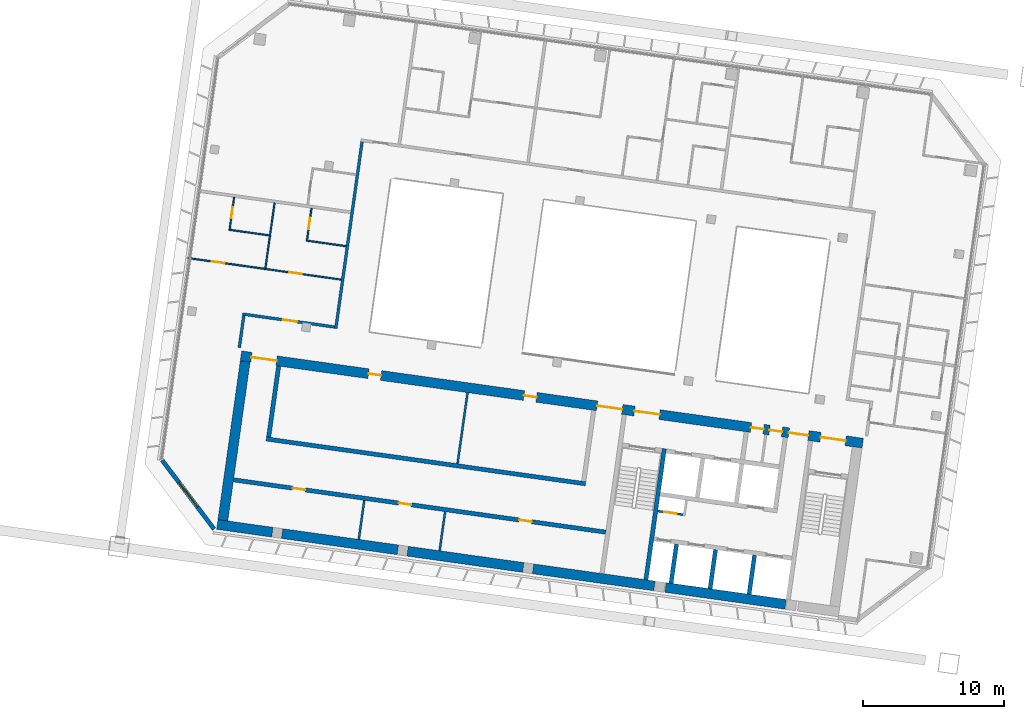
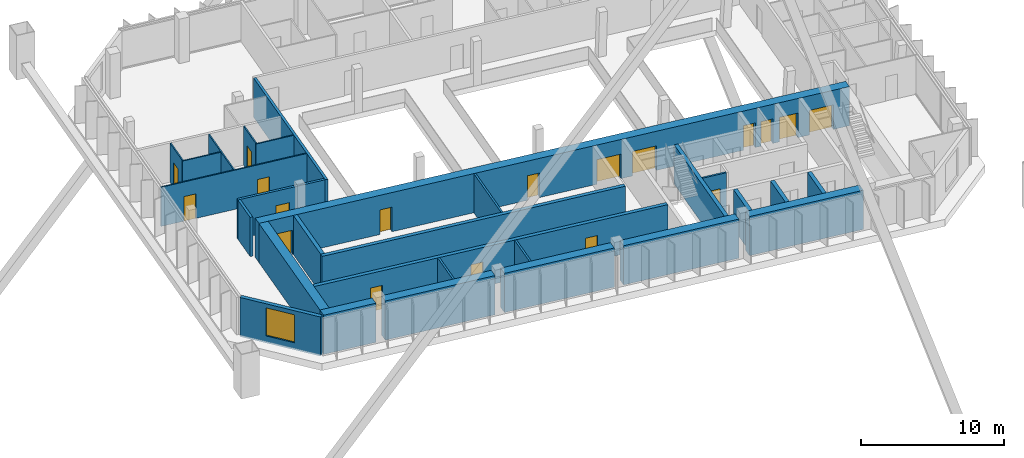
# One storey, part 24 of 38: 28 walls, 18 doors, 1 window, 19 openings.
"""IFC4 building model written with IfcOpenShell, lengths in metres."""

from ifc_helpers import new_model, si_unit, direction, frame, frame_2d, origin, place, context, subcontext, project, spatial, rectangle, extrude, material, layer, layer_set, type_object, element, fill, save


model = new_model("IFC4")

# Units and contexts
model_context = context("Model", 3, precision=1e-05, world=origin(), true_north=direction((0.0, 1.0)))
body_context = subcontext(model_context, "Body", "Model", "MODEL_VIEW")
ifc_project = project(units=[si_unit("LENGTHUNIT", "METRE"), si_unit("AREAUNIT", "SQUARE_METRE"), si_unit("VOLUMEUNIT", "CUBIC_METRE"), si_unit("PLANEANGLEUNIT", "RADIAN"), si_unit("MASSUNIT", "GRAM", prefix="KILO")], contexts=[model_context])

# Site, building, storey
site_placement = place(None, origin())
site = spatial("IfcSite", under=ifc_project, at=site_placement, CompositionType="ELEMENT")
building_placement = place(site_placement, origin())
building = spatial("IfcBuilding", under=site, at=building_placement, Name="Mirante Cascada Hotel Towers", CompositionType="ELEMENT")
storey_placement = place(building_placement, frame((0.0, 0.0, 184.0)))
storey = spatial("IfcBuildingStorey", under=building, at=storey_placement, Name="L43", CompositionType="ELEMENT", Elevation=184.0)

# Wall, opening, door
ifc_material_1 = material(Name="Fire-rated plasterboard on metal studs")
ifc_layer_1 = layer(ifc_material_1, 0.2)
ifc_layer_set_1 = layer_set([ifc_layer_1], Name="Compartment wall 200 EI 120")
wall_type_1 = type_object("IfcWallType", Name="Compartment wall 200 EI 120", PredefinedType="PARTITIONING", material=ifc_layer_set_1)
wall_1_placement = place(storey_placement, frame((-73.0547, 0.6175, 0.0), z_axis=(0.0, 0.0, 1.0), x_axis=(-0.990267, 0.139181, 0.0)))
wall_1 = element("IfcWall", 1, at=wall_1_placement, inside=storey, type_object=wall_type_1, Name="Wall 1-L43-04", PredefinedType="PARTITIONING", context=body_context, shape_type="SweptSolid", body=[
    extrude(rectangle(XDim=6.6, YDim=0.2, at=frame_2d((3.3, 0.0))), origin(), (0.0, 0.0, 1.0), 3.35),
])
opening_1_placement = place(wall_1_placement, frame((2.7, 0.0, 0.0)))
opening_1 = element("IfcOpeningElement", 2, at=opening_1_placement, cuts=wall_1, Name="Opening D1-L43-04", PredefinedType="OPENING", context=body_context, shape_type="SweptSolid", body=[
    extrude(rectangle(XDim=1.0, YDim=2.1, at=frame_2d((0.5, 1.05))), frame((0.0, 0.1, 0.0), z_axis=(0.0, -1.0, 0.0), x_axis=(1.0, 0.0, 0.0)), (0.0, 0.0, 1.0), 0.2),
])
ifc_material_2 = material(Name="Fire-rated timber door leaf", Category="wood")
door_type_1 = type_object("IfcDoorType", Name="Entrance door DG1 1000x2100 EI 60", OperationType="SINGLE_SWING_LEFT", PredefinedType="DOOR", material=ifc_material_2)
door_1_placement = place(opening_1_placement, origin())
door_1 = element("IfcDoor", 3, at=door_1_placement, inside=storey, type_object=door_type_1, Name="Door D1-L43-04", OperationType="SINGLE_SWING_LEFT", OverallHeight=2.1, OverallWidth=1.0, PredefinedType="DOOR", context=body_context, shape_type="SweptSolid", body=[
    extrude(rectangle(XDim=1.0, YDim=2.1, at=frame_2d((0.5, 1.05))), frame((0.0, 0.025, 0.0), z_axis=(0.0, -1.0, 0.0), x_axis=(1.0, 0.0, 0.0)), (0.0, 0.0, 1.0), 0.05),
])
fill(opening_1, door_1)

# Walls
wall_2_placement = place(storey_placement, frame((-72.9696, 0.5046, 0.0), z_axis=(0.0, 0.0, 1.0), x_axis=(0.1391716, 0.9902683, 0.0)))
element("IfcWall", 4, at=wall_2_placement, inside=storey, type_object=wall_type_1, Name="Wall 1-L43-48", PredefinedType="PARTITIONING", context=body_context, shape_type="SweptSolid", body=[
    extrude(rectangle(XDim=13.4, YDim=0.2, at=frame_2d((6.7, 0.0))), origin(), (0.0, 0.0, 1.0), 3.35),
])
wall_3_placement = place(storey_placement, frame((-79.8255, -0.8545, 0.0), z_axis=(0.0, 0.0, 1.0), x_axis=(0.1391749, 0.9902678, 0.0)))
element("IfcWall", 5, at=wall_3_placement, inside=storey, type_object=wall_type_1, Name="Wall 1-L43-52", PredefinedType="PARTITIONING", context=body_context, shape_type="SweptSolid", body=[
    extrude(rectangle(XDim=2.3, YDim=0.2, at=frame_2d((1.15, 0.0))), origin(), (0.0, 0.0, 1.0), 3.35),
])

# Wall, opening, door
ifc_material_3 = material(Name="Masonry block", Category="masonry")
ifc_layer_2 = layer(ifc_material_3, 0.15)
ifc_layer_set_2 = layer_set([ifc_layer_2], Name="Core room partition 150 block EI 30")
wall_type_2 = type_object("IfcWallType", Name="Core room partition 150 block EI 30", PredefinedType="PARTITIONING", material=ifc_layer_set_2)
wall_4_placement = place(storey_placement, frame((-48.2933, -12.7083, 0.0), z_axis=(0.0, 0.0, 1.0), x_axis=(-0.990268, 0.1391734, 0.0)))
wall_4 = element("IfcWall", 6, at=wall_4_placement, inside=storey, type_object=wall_type_2, Name="Core wall partition T1 L43 3", PredefinedType="PARTITIONING", context=body_context, shape_type="SweptSolid", body=[
    extrude(rectangle(XDim=1.8251, YDim=0.15, at=frame_2d((0.9126, 0.0))), origin(), (0.0, 0.0, 1.0), 3.35),
])
opening_2_placement = place(wall_4_placement, frame((0.4625, 0.0, 0.0)))
opening_2 = element("IfcOpeningElement", 7, at=opening_2_placement, cuts=wall_4, Name="Opening D1-43-C15", PredefinedType="OPENING", context=body_context, shape_type="SweptSolid", body=[
    extrude(rectangle(XDim=0.9, YDim=2.1, at=frame_2d((0.45, 1.05))), frame((0.0, 0.075, 0.0), z_axis=(0.0, -1.0, 0.0), x_axis=(1.0, 0.0, 0.0)), (0.0, 0.0, 1.0), 0.15),
])
ifc_material_4 = material(Name="Hollow metal fire door leaf")
door_type_2 = type_object("IfcDoorType", Name="Fire door 900x2100 FD60", OperationType="NOTDEFINED", PredefinedType="DOOR", material=ifc_material_4)
door_2_placement = place(opening_2_placement, origin())
door_2 = element("IfcDoor", 8, at=door_2_placement, inside=storey, type_object=door_type_2, Name="Riser door T1 L43 15", OperationType="SINGLE_SWING_LEFT", OverallHeight=2.1, OverallWidth=0.9, PredefinedType="DOOR", context=body_context, shape_type="SweptSolid", body=[
    extrude(rectangle(XDim=0.9, YDim=2.1, at=frame_2d((0.45, 1.05))), frame((0.0, 0.025, 0.0), z_axis=(0.0, -1.0, 0.0), x_axis=(1.0, 0.0, 0.0)), (0.0, 0.0, 1.0), 0.05),
])
fill(opening_2, door_2)

# Walls
wall_5_placement = place(storey_placement, frame((-65.594, -15.2755, 0.0), z_axis=(0.0, 0.0, 1.0), x_axis=(0.139176, 0.9902677, 0.0)))
element("IfcWall", 9, at=wall_5_placement, inside=storey, type_object=wall_type_2, Name="Core wall partition T1 L43 6", PredefinedType="PARTITIONING", context=body_context, shape_type="SweptSolid", body=[
    extrude(rectangle(XDim=2.8001, YDim=0.15, at=frame_2d((1.4, 0.0))), origin(), (0.0, 0.0, 1.0), 3.35),
])
wall_6_placement = place(storey_placement, frame((-71.3375, -14.4683, 0.0), z_axis=(0.0, 0.0, 1.0), x_axis=(0.139141, 0.9902726, 0.0)))
element("IfcWall", 10, at=wall_6_placement, inside=storey, type_object=wall_type_2, Name="Core wall partition T1 L43 7", PredefinedType="PARTITIONING", context=body_context, shape_type="SweptSolid", body=[
    extrude(rectangle(XDim=2.8, YDim=0.15, at=frame_2d((1.4, 0.0))), origin(), (0.0, 0.0, 1.0), 3.35),
])
wall_7_placement = place(storey_placement, frame((-64.3211, -9.0925, 0.0), z_axis=(0.0, 0.0, 1.0), x_axis=(0.1391755, 0.9902677, 0.0)))
element("IfcWall", 11, at=wall_7_placement, inside=storey, type_object=wall_type_2, Name="Core wall partition T1 L43 8", PredefinedType="PARTITIONING", context=body_context, shape_type="SweptSolid", body=[
    extrude(rectangle(XDim=5.1, YDim=0.15, at=frame_2d((2.55, 0.0))), origin(), (0.0, 0.0, 1.0), 3.35),
])

# Wall, openings, doors
ifc_material_5 = material(Name="Masonry block", Category="masonry")
ifc_layer_3 = layer(ifc_material_5, 0.3)
ifc_layer_set_3 = layer_set([ifc_layer_3], Name="Core wall 300 block EI 120")
wall_type_3 = type_object("IfcWallType", Name="Core wall 300 block EI 120", PredefinedType="PARTITIONING", material=ifc_layer_set_3)
wall_8_placement = place(storey_placement, frame((-53.7953, -13.9547, 0.0), z_axis=(0.0, 0.0, 1.0), x_axis=(-0.9902677, 0.1391758, 0.0)))
wall_8 = element("IfcWall", 12, at=wall_8_placement, inside=storey, type_object=wall_type_3, Name="Core wall partition T1 L43 5", PredefinedType="PARTITIONING", context=body_context, shape_type="SweptSolid", body=[
    extrude(rectangle(XDim=26.7001, YDim=0.3, at=frame_2d((13.35, 0.0))), origin(), (0.0, 0.0, 1.0), 3.35),
])
opening_3_placement = place(wall_8_placement, frame((5.3, 0.0, 0.0)))
opening_3 = element("IfcOpeningElement", 13, at=opening_3_placement, cuts=wall_8, Name="Opening D1-43-C18", PredefinedType="OPENING", context=body_context, shape_type="SweptSolid", body=[
    extrude(rectangle(XDim=0.9, YDim=2.1, at=frame_2d((0.45, 1.05))), frame((0.0, 0.15, 0.0), z_axis=(0.0, -1.0, 0.0), x_axis=(1.0, 0.0, 0.0)), (0.0, 0.0, 1.0), 0.3),
])
opening_4_placement = place(wall_8_placement, frame((13.95, 0.0, 0.0)))
opening_4 = element("IfcOpeningElement", 14, at=opening_4_placement, cuts=wall_8, Name="Opening D1-43-C19", PredefinedType="OPENING", context=body_context, shape_type="SweptSolid", body=[
    extrude(rectangle(XDim=0.9, YDim=2.1, at=frame_2d((0.45, 1.05))), frame((0.0, 0.15, 0.0), z_axis=(0.0, -1.0, 0.0), x_axis=(1.0, 0.0, 0.0)), (0.0, 0.0, 1.0), 0.3),
])
opening_5_placement = place(wall_8_placement, frame((21.55, 0.0, 0.0)))
opening_5 = element("IfcOpeningElement", 15, at=opening_5_placement, cuts=wall_8, Name="Opening D1-43-C20", PredefinedType="OPENING", context=body_context, shape_type="SweptSolid", body=[
    extrude(rectangle(XDim=0.9, YDim=2.1, at=frame_2d((0.45, 1.05))), frame((0.0, 0.15, 0.0), z_axis=(0.0, -1.0, 0.0), x_axis=(1.0, 0.0, 0.0)), (0.0, 0.0, 1.0), 0.3),
])
door_3_placement = place(opening_3_placement, origin())
door_3 = element("IfcDoor", 16, at=door_3_placement, inside=storey, type_object=door_type_2, Name="Room door T1 L43 18", OperationType="SINGLE_SWING_RIGHT", OverallHeight=2.1, OverallWidth=0.9, PredefinedType="DOOR", context=body_context, shape_type="SweptSolid", body=[
    extrude(rectangle(XDim=0.9, YDim=2.1, at=frame_2d((0.45, 1.05))), frame((0.0, 0.025, 0.0), z_axis=(0.0, -1.0, 0.0), x_axis=(1.0, 0.0, 0.0)), (0.0, 0.0, 1.0), 0.05),
])
fill(opening_3, door_3)
door_4_placement = place(opening_4_placement, origin())
door_4 = element("IfcDoor", 17, at=door_4_placement, inside=storey, type_object=door_type_2, Name="Room door T1 L43 19", OperationType="SINGLE_SWING_LEFT", OverallHeight=2.1, OverallWidth=0.9, PredefinedType="DOOR", context=body_context, shape_type="SweptSolid", body=[
    extrude(rectangle(XDim=0.9, YDim=2.1, at=frame_2d((0.45, 1.05))), frame((0.0, 0.025, 0.0), z_axis=(0.0, -1.0, 0.0), x_axis=(1.0, 0.0, 0.0)), (0.0, 0.0, 1.0), 0.05),
])
fill(opening_4, door_4)
door_5_placement = place(opening_5_placement, origin())
door_5 = element("IfcDoor", 18, at=door_5_placement, inside=storey, type_object=door_type_2, Name="Room door T1 L43 20", OperationType="SINGLE_SWING_LEFT", OverallHeight=2.1, OverallWidth=0.9, PredefinedType="DOOR", context=body_context, shape_type="SweptSolid", body=[
    extrude(rectangle(XDim=0.9, YDim=2.1, at=frame_2d((0.45, 1.05))), frame((0.0, 0.025, 0.0), z_axis=(0.0, -1.0, 0.0), x_axis=(1.0, 0.0, 0.0)), (0.0, 0.0, 1.0), 0.05),
])
fill(opening_5, door_5)

ifc_material_6 = material(Name="Plasterboard on metal studs")
ifc_layer_4 = layer(ifc_material_6, 0.1)
ifc_layer_set_4 = layer_set([ifc_layer_4], Name="Partition 100")
wall_type_4 = type_object("IfcWallType", Name="Partition 100", PredefinedType="PARTITIONING", material=ifc_layer_set_4)
wall_9_placement = place(storey_placement, frame((-72.5815, 3.9844, 0.0), z_axis=(0.0, 0.0, 1.0), x_axis=(-0.9902682, 0.1391721, 0.0)))
wall_9 = element("IfcWall", 19, at=wall_9_placement, inside=storey, type_object=wall_type_4, Name="Wall 1-L43-08", PredefinedType="PARTITIONING", context=body_context, shape_type="SweptSolid", body=[
    extrude(rectangle(XDim=11.0001, YDim=0.1, at=frame_2d((5.5, 0.0))), origin(), (0.0, 0.0, 1.0), 3.35),
])
opening_6_placement = place(wall_9_placement, frame((2.825, 0.0, 0.0)))
opening_6 = element("IfcOpeningElement", 20, at=opening_6_placement, cuts=wall_9, Name="Opening D1-L43-05", PredefinedType="OPENING", context=body_context, shape_type="SweptSolid", body=[
    extrude(rectangle(XDim=0.9, YDim=2.1, at=frame_2d((0.45, 1.05))), frame((0.0, 0.05, 0.0), z_axis=(0.0, -1.0, 0.0), x_axis=(1.0, 0.0, 0.0)), (0.0, 0.0, 1.0), 0.1),
])
opening_7_placement = place(wall_9_placement, frame((8.375, 0.0, 0.0)))
opening_7 = element("IfcOpeningElement", 21, at=opening_7_placement, cuts=wall_9, Name="Opening D1-L43-06", PredefinedType="OPENING", context=body_context, shape_type="SweptSolid", body=[
    extrude(rectangle(XDim=0.9, YDim=2.1, at=frame_2d((0.45, 1.05))), frame((0.0, 0.05, 0.0), z_axis=(0.0, -1.0, 0.0), x_axis=(1.0, 0.0, 0.0)), (0.0, 0.0, 1.0), 0.1),
])
ifc_material_7 = material(Name="Timber door leaf", Category="wood")
door_type_3 = type_object("IfcDoorType", Name="Room door DG3 900x2100", OperationType="SINGLE_SWING_LEFT", PredefinedType="DOOR", material=ifc_material_7)
door_6_placement = place(opening_6_placement, origin())
door_6 = element("IfcDoor", 22, at=door_6_placement, inside=storey, type_object=door_type_3, Name="Door D1-L43-05", OperationType="SINGLE_SWING_LEFT", OverallHeight=2.1, OverallWidth=0.9, PredefinedType="DOOR", context=body_context, shape_type="SweptSolid", body=[
    extrude(rectangle(XDim=0.9, YDim=2.1, at=frame_2d((0.45, 1.05))), frame((0.0, 0.025, 0.0), z_axis=(0.0, -1.0, 0.0), x_axis=(1.0, 0.0, 0.0)), (0.0, 0.0, 1.0), 0.05),
])
fill(opening_6, door_6)
door_7_placement = place(opening_7_placement, origin())
door_7 = element("IfcDoor", 23, at=door_7_placement, inside=storey, type_object=door_type_3, Name="Door D1-L43-06", OperationType="SINGLE_SWING_LEFT", OverallHeight=2.1, OverallWidth=0.9, PredefinedType="DOOR", context=body_context, shape_type="SweptSolid", body=[
    extrude(rectangle(XDim=0.9, YDim=2.1, at=frame_2d((0.45, 1.05))), frame((0.0, 0.025, 0.0), z_axis=(0.0, -1.0, 0.0), x_axis=(1.0, 0.0, 0.0)), (0.0, 0.0, 1.0), 0.05),
])
fill(opening_7, door_7)

# Walls
wall_10_placement = place(storey_placement, frame((-75.0698, 6.7577, 0.0), z_axis=(0.0, 0.0, 1.0), x_axis=(0.9902704, -0.1391564, 0.0)))
element("IfcWall", 24, at=wall_10_placement, inside=storey, type_object=wall_type_4, Name="Wall 1-L43-11", PredefinedType="PARTITIONING", context=body_context, shape_type="SweptSolid", body=[
    extrude(rectangle(XDim=2.85, YDim=0.1, at=frame_2d((1.425, 0.0))), origin(), (0.0, 0.0, 1.0), 3.35),
])
wall_11_placement = place(storey_placement, frame((-77.694, 7.1265, 0.0), z_axis=(0.0, 0.0, 1.0), x_axis=(-0.9902683, 0.1391714, 0.0)))
element("IfcWall", 25, at=wall_11_placement, inside=storey, type_object=wall_type_4, Name="Wall 1-L43-12", PredefinedType="PARTITIONING", context=body_context, shape_type="SweptSolid", body=[
    extrude(rectangle(XDim=2.9, YDim=0.1, at=frame_2d((1.45, 0.0))), origin(), (0.0, 0.0, 1.0), 3.35),
])

# Wall, opening, door
wall_12_placement = place(storey_placement, frame((-74.6955, 9.0614, 0.0), z_axis=(0.0, 0.0, 1.0), x_axis=(-0.139183, -0.9902667, 0.0)))
wall_12 = element("IfcWall", 26, at=wall_12_placement, inside=storey, type_object=wall_type_4, Name="Wall 1-L43-49", PredefinedType="PARTITIONING", context=body_context, shape_type="SweptSolid", body=[
    extrude(rectangle(XDim=2.2833, YDim=0.1, at=frame_2d((1.1416, 0.0))), origin(), (0.0, 0.0, 1.0), 3.35),
])
opening_8_placement = place(wall_12_placement, frame((0.7, 0.0, 0.0)))
opening_8 = element("IfcOpeningElement", 27, at=opening_8_placement, cuts=wall_12, Name="Opening D1-L43-32", PredefinedType="OPENING", context=body_context, shape_type="SweptSolid", body=[
    extrude(rectangle(XDim=0.8, YDim=2.1, at=frame_2d((0.4, 1.05))), frame((0.0, 0.05, 0.0), z_axis=(0.0, -1.0, 0.0), x_axis=(1.0, 0.0, 0.0)), (0.0, 0.0, 1.0), 0.1),
])
ifc_material_8 = material(Name="Timber door leaf", Category="wood")
door_type_4 = type_object("IfcDoorType", Name="Bathroom door DG4 800x2100", OperationType="SINGLE_SWING_LEFT", PredefinedType="DOOR", material=ifc_material_8)
door_8_placement = place(opening_8_placement, frame((0.8, 0.0, 0.0), z_axis=(0.0, 0.0, 1.0), x_axis=(-1.0, 0.0, 0.0)))
door_8 = element("IfcDoor", 28, at=door_8_placement, inside=storey, type_object=door_type_4, Name="Door D1-L43-32", OperationType="SINGLE_SWING_RIGHT", OverallHeight=2.1, OverallWidth=0.8, PredefinedType="DOOR", context=body_context, shape_type="SweptSolid", body=[
    extrude(rectangle(XDim=0.8, YDim=2.1, at=frame_2d((0.4, 1.05))), frame((0.0, 0.025, 0.0), z_axis=(0.0, -1.0, 0.0), x_axis=(1.0, 0.0, 0.0)), (0.0, 0.0, 1.0), 0.05),
])
fill(opening_8, door_8)

# Wall
wall_13_placement = place(storey_placement, frame((-77.3197, 9.4302, 0.0), z_axis=(0.0, 0.0, 1.0), x_axis=(-0.139176, -0.9902677, 0.0)))
element("IfcWall", 29, at=wall_13_placement, inside=storey, type_object=wall_type_4, Name="Wall 1-L43-51", PredefinedType="PARTITIONING", context=body_context, shape_type="SweptSolid", body=[
    extrude(rectangle(XDim=4.6833, YDim=0.1, at=frame_2d((2.3416, 0.0))), origin(), (0.0, 0.0, 1.0), 3.35),
])

# Wall, opening, door
wall_14_placement = place(storey_placement, frame((-80.1915, 9.8338, 0.0), z_axis=(0.0, 0.0, 1.0), x_axis=(-0.139183, -0.9902667, 0.0)))
wall_14 = element("IfcWall", 30, at=wall_14_placement, inside=storey, type_object=wall_type_4, Name="Wall 1-L43-53", PredefinedType="PARTITIONING", context=body_context, shape_type="SweptSolid", body=[
    extrude(rectangle(XDim=2.2833, YDim=0.1, at=frame_2d((1.1416, 0.0))), origin(), (0.0, 0.0, 1.0), 3.35),
])
opening_9_placement = place(wall_14_placement, frame((0.7, 0.0, 0.0)))
opening_9 = element("IfcOpeningElement", 31, at=opening_9_placement, cuts=wall_14, Name="Opening D1-L43-34", PredefinedType="OPENING", context=body_context, shape_type="SweptSolid", body=[
    extrude(rectangle(XDim=0.8, YDim=2.1, at=frame_2d((0.4, 1.05))), frame((0.0, 0.05, 0.0), z_axis=(0.0, -1.0, 0.0), x_axis=(1.0, 0.0, 0.0)), (0.0, 0.0, 1.0), 0.1),
])
door_9_placement = place(opening_9_placement, frame((0.8, 0.0, 0.0), z_axis=(0.0, 0.0, 1.0), x_axis=(-1.0, 0.0, 0.0)))
door_9 = element("IfcDoor", 32, at=door_9_placement, inside=storey, type_object=door_type_4, Name="Door D1-L43-34", OperationType="SINGLE_SWING_RIGHT", OverallHeight=2.1, OverallWidth=0.8, PredefinedType="DOOR", context=body_context, shape_type="SweptSolid", body=[
    extrude(rectangle(XDim=0.8, YDim=2.1, at=frame_2d((0.4, 1.05))), frame((0.0, 0.025, 0.0), z_axis=(0.0, -1.0, 0.0), x_axis=(1.0, 0.0, 0.0)), (0.0, 0.0, 1.0), 0.05),
])
fill(opening_9, door_9)

# Wall, opening, window
ifc_material_9 = material(Name="Precast concrete C40/50", Category="concrete")
ifc_layer_5 = layer(ifc_material_9, 0.3)
ifc_layer_set_5 = layer_set([ifc_layer_5], Name="Precast concrete C40/50 cladding wall 300")
wall_type_5 = type_object("IfcWallType", Name="Precast concrete C40/50 cladding wall 300", PredefinedType="STANDARD", material=ifc_layer_set_5)
wall_15_placement = place(storey_placement, frame((-81.6175, -13.7366, 0.0), z_axis=(0.0, 0.0, 1.0), x_axis=(-0.6018141, 0.7986362, 0.0)))
wall_15 = element("IfcWall", 33, at=wall_15_placement, inside=storey, type_object=wall_type_5, Name="Corner cladding wall T1 L43 rear outer", PredefinedType="STANDARD", context=body_context, shape_type="SweptSolid", body=[
    extrude(rectangle(XDim=6.1157, YDim=0.3, at=frame_2d((3.0578, 0.0))), origin(), (0.0, 0.0, 1.0), 3.35),
])
opening_10_placement = place(wall_15_placement, frame((1.9578, 0.0, 0.6)))
opening_10 = element("IfcOpeningElement", 34, at=opening_10_placement, cuts=wall_15, Name="Opening W1-43-01", PredefinedType="OPENING", context=body_context, shape_type="SweptSolid", body=[
    extrude(rectangle(XDim=2.2, YDim=2.4, at=frame_2d((1.1, 1.2))), frame((0.0, 0.15, 0.0), z_axis=(0.0, -1.0, 0.0), x_axis=(1.0, 0.0, 0.0)), (0.0, 0.0, 1.0), 0.3),
])
ifc_material_10 = material(Name="Aluminium frame with clear double glazing", Category="aluminium")
window_type = type_object("IfcWindowType", Name="Corner suite window 2200x2400", PartitioningType="DOUBLE_PANEL_VERTICAL", PredefinedType="WINDOW", material=ifc_material_10)
window_placement = place(opening_10_placement, origin())
window = element("IfcWindow", 35, at=window_placement, inside=storey, type_object=window_type, Name="Window W1-43-01", OverallHeight=2.4, OverallWidth=2.2, PartitioningType="SINGLE_PANEL", PredefinedType="WINDOW", context=body_context, shape_type="SweptSolid", body=[
    extrude(rectangle(XDim=2.2, YDim=2.4, at=frame_2d((1.1, 1.2))), frame((0.0, 0.03, 0.0), z_axis=(0.0, -1.0, 0.0), x_axis=(1.0, 0.0, 0.0)), (0.0, 0.0, 1.0), 0.06),
])
fill(opening_10, window)

# Walls
ifc_material_11 = material(Name="Concrete C50/60", Category="concrete")
ifc_layer_6 = layer(ifc_material_11, 0.3)
ifc_layer_set_6 = layer_set([ifc_layer_6], Name="RC core wall 300 C50/60")
wall_type_6 = type_object("IfcWallType", Name="RC core wall 300 C50/60", PredefinedType="SHEAR", material=ifc_layer_set_6)
wall_16_placement = place(storey_placement, frame((-50.938, -17.3352, 0.0), z_axis=(0.0, 0.0, 1.0), x_axis=(0.1391706, 0.9902684, 0.0)))
element("IfcWall", 36, at=wall_16_placement, inside=storey, type_object=wall_type_6, Name="Core wall T1:L43:6", PredefinedType="SHEAR", context=body_context, shape_type="SweptSolid", body=[
    extrude(rectangle(XDim=9.4, YDim=0.3, at=frame_2d((4.7, 0.0))), origin(), (0.0, 0.0, 1.0), 3.35),
])
wall_17_placement = place(storey_placement, frame((-43.61, -18.3651, 0.0), z_axis=(0.0, 0.0, 1.0), x_axis=(0.1391459, 0.9902719, 0.0)))
element("IfcWall", 37, at=wall_17_placement, inside=storey, type_object=wall_type_6, Name="Core wall T1:L43:13", PredefinedType="SHEAR", context=body_context, shape_type="SweptSolid", body=[
    extrude(rectangle(XDim=2.7999, YDim=0.3, at=frame_2d((1.4, 0.0))), origin(), (0.0, 0.0, 1.0), 3.35),
])
wall_18_placement = place(storey_placement, frame((-46.3828, -17.9754, 0.0), z_axis=(0.0, 0.0, 1.0), x_axis=(0.139181, 0.990267, 0.0)))
element("IfcWall", 38, at=wall_18_placement, inside=storey, type_object=wall_type_6, Name="Core wall T1:L43:14", PredefinedType="SHEAR", context=body_context, shape_type="SweptSolid", body=[
    extrude(rectangle(XDim=2.8, YDim=0.3, at=frame_2d((1.4, 0.0))), origin(), (0.0, 0.0, 1.0), 3.35),
])
wall_19_placement = place(storey_placement, frame((-49.1555, -17.5857, 0.0), z_axis=(0.0, 0.0, 1.0), x_axis=(0.1391459, 0.9902719, 0.0)))
element("IfcWall", 39, at=wall_19_placement, inside=storey, type_object=wall_type_6, Name="Core wall T1:L43:15", PredefinedType="SHEAR", context=body_context, shape_type="SweptSolid", body=[
    extrude(rectangle(XDim=2.7999, YDim=0.3, at=frame_2d((1.4, 0.0))), origin(), (0.0, 0.0, 1.0), 3.35),
])
wall_20_placement = place(storey_placement, frame((-55.2315, -10.5214, 0.0), z_axis=(0.0, 0.0, 1.0), x_axis=(-0.9902678, 0.1391749, 0.0)))
element("IfcWall", 40, at=wall_20_placement, inside=storey, type_object=wall_type_6, Name="Core wall T1:L43:26", PredefinedType="SHEAR", context=body_context, shape_type="SweptSolid", body=[
    extrude(rectangle(XDim=22.9, YDim=0.3, at=frame_2d((11.45, 0.0))), origin(), (0.0, 0.0, 1.0), 3.35),
])
wall_21_placement = place(storey_placement, frame((-77.7392, -7.2067, 0.0), z_axis=(0.0, 0.0, 1.0), x_axis=(0.1391755, 0.9902677, 0.0)))
element("IfcWall", 41, at=wall_21_placement, inside=storey, type_object=wall_type_6, Name="Core wall T1:L43:28", PredefinedType="SHEAR", context=body_context, shape_type="SweptSolid", body=[
    extrude(rectangle(XDim=5.1, YDim=0.3, at=frame_2d((2.55, 0.0))), origin(), (0.0, 0.0, 1.0), 3.35),
])
ifc_material_12 = material(Name="Concrete C50/60", Category="concrete")
ifc_layer_7 = layer(ifc_material_12, 0.7)
ifc_layer_set_7 = layer_set([ifc_layer_7], Name="RC core wall 700 C50/60")
wall_type_7 = type_object("IfcWallType", Name="RC core wall 700 C50/60", PredefinedType="SHEAR", material=ifc_layer_set_7)
wall_22_placement = place(storey_placement, frame((-41.0211, -19.0824, 0.0), z_axis=(0.0, 0.0, 1.0), x_axis=(-0.9902682, 0.1391724, 0.0)))
element("IfcWall", 42, at=wall_22_placement, inside=storey, type_object=wall_type_7, Name="Core wall T1:L43:1.2", PredefinedType="SHEAR", context=body_context, shape_type="SweptSolid", body=[
    extrude(rectangle(XDim=8.6044, YDim=0.7, at=frame_2d((4.3022, 0.0))), origin(), (0.0, 0.0, 1.0), 3.35),
])
wall_23_placement = place(storey_placement, frame((-50.3363, -17.7732, 0.0), z_axis=(0.0, 0.0, 1.0), x_axis=(-0.990269, 0.1391667, 0.0)))
element("IfcWall", 43, at=wall_23_placement, inside=storey, type_object=wall_type_7, Name="Core wall T1:L43:1.3", PredefinedType="SHEAR", context=body_context, shape_type="SweptSolid", body=[
    extrude(rectangle(XDim=8.7068, YDim=0.7, at=frame_2d((4.3534, 0.0))), origin(), (0.0, 0.0, 1.0), 3.35),
])
for number, where, z_axis, x_axis, name in (
    (44, (-59.6516, -16.4641, 0.0), (0.0, 0.0, 1.0), (-0.990267, 0.139181, 0.0), "Core wall T1:L43:1.4"),
    (45, (-68.564, -15.2115, 0.0), (0.0, 0.0, 1.0), (-0.9902686, 0.1391692, 0.0), "Core wall T1:L43:1.5"),
):
    element("IfcWall", number, at=place(storey_placement, frame(where, z_axis=z_axis, x_axis=x_axis)), inside=storey, type_object=wall_type_7, Name=name, PredefinedType="SHEAR", context=body_context, shape_type="SweptSolid", body=[
        extrude(rectangle(XDim=8.3, YDim=0.7, at=frame_2d((4.15, 0.0))), origin(), (0.0, 0.0, 1.0), 3.35),
    ])
wall_24_placement = place(storey_placement, frame((-77.4764, -13.9589, 0.0), z_axis=(0.0, 0.0, 1.0), x_axis=(-0.9902694, 0.1391633, 0.0)))
element("IfcWall", 46, at=wall_24_placement, inside=storey, type_object=wall_type_7, Name="Core wall T1:L43:1.6", PredefinedType="SHEAR", context=body_context, shape_type="SweptSolid", body=[
    extrude(rectangle(XDim=3.95, YDim=0.7, at=frame_2d((1.975, 0.0))), origin(), (0.0, 0.0, 1.0), 3.35),
])

# Wall, openings, doors
wall_25_placement = place(storey_placement, frame((-35.538, -7.6341, 0.0), z_axis=(0.0, 0.0, 1.0), x_axis=(-0.9902682, 0.1391725, 0.0)))
wall_25 = element("IfcWall", 47, at=wall_25_placement, inside=storey, type_object=wall_type_7, Name="Core wall T1:L43:2", PredefinedType="SHEAR", context=body_context, shape_type="SweptSolid", body=[
    extrude(rectangle(XDim=44.6, YDim=0.7, at=frame_2d((22.3, 0.0))), origin(), (0.0, 0.0, 1.0), 3.35),
])
opening_11_placement = place(wall_25_placement, frame((1.225, 0.0, 0.0)))
opening_11 = element("IfcOpeningElement", 48, at=opening_11_placement, cuts=wall_25, Name="Opening D1-43-C08", PredefinedType="OPENING", context=body_context, shape_type="SweptSolid", body=[
    extrude(rectangle(XDim=1.8, YDim=2.1, at=frame_2d((0.9, 1.05))), frame((0.0, 0.35, 0.0), z_axis=(0.0, -1.0, 0.0), x_axis=(1.0, 0.0, 0.0)), (0.0, 0.0, 1.0), 0.7),
])
opening_12_placement = place(wall_25_placement, frame((14.575, 0.0, 0.0)))
opening_12 = element("IfcOpeningElement", 49, at=opening_12_placement, cuts=wall_25, Name="Opening D1-43-C10", PredefinedType="OPENING", context=body_context, shape_type="SweptSolid", body=[
    extrude(rectangle(XDim=1.8, YDim=2.1, at=frame_2d((0.9, 1.05))), frame((0.0, 0.35, 0.0), z_axis=(0.0, -1.0, 0.0), x_axis=(1.0, 0.0, 0.0)), (0.0, 0.0, 1.0), 0.7),
])
opening_13_placement = place(wall_25_placement, frame((3.9, 0.0, 0.0)))
opening_13 = element("IfcOpeningElement", 50, at=opening_13_placement, cuts=wall_25, Name="Opening D1-43-C11", PredefinedType="OPENING", context=body_context, shape_type="SweptSolid", body=[
    extrude(rectangle(XDim=1.4, YDim=2.1, at=frame_2d((0.7, 1.05))), frame((0.0, 0.35, 0.0), z_axis=(0.0, -1.0, 0.0), x_axis=(1.0, 0.0, 0.0)), (0.0, 0.0, 1.0), 0.7),
])
opening_14_placement = place(wall_25_placement, frame((17.25, 0.0, 0.0)))
opening_14 = element("IfcOpeningElement", 51, at=opening_14_placement, cuts=wall_25, Name="Opening D1-43-C12", PredefinedType="OPENING", context=body_context, shape_type="SweptSolid", body=[
    extrude(rectangle(XDim=1.8, YDim=2.1, at=frame_2d((0.9, 1.05))), frame((0.0, 0.35, 0.0), z_axis=(0.0, -1.0, 0.0), x_axis=(1.0, 0.0, 0.0)), (0.0, 0.0, 1.0), 0.7),
])
opening_15_placement = place(wall_25_placement, frame((42.05, 0.0, 0.0)))
opening_15 = element("IfcOpeningElement", 52, at=opening_15_placement, cuts=wall_25, Name="Opening D1-43-C13", PredefinedType="OPENING", context=body_context, shape_type="SweptSolid", body=[
    extrude(rectangle(XDim=1.8, YDim=2.1, at=frame_2d((0.9, 1.05))), frame((0.0, 0.35, 0.0), z_axis=(0.0, -1.0, 0.0), x_axis=(1.0, 0.0, 0.0)), (0.0, 0.0, 1.0), 0.7),
])
opening_16_placement = place(wall_25_placement, frame((5.7875, 0.0, 0.0)))
opening_16 = element("IfcOpeningElement", 53, at=opening_16_placement, cuts=wall_25, Name="Opening D1-43-C16", PredefinedType="OPENING", context=body_context, shape_type="SweptSolid", body=[
    extrude(rectangle(XDim=0.9, YDim=2.1, at=frame_2d((0.45, 1.05))), frame((0.0, 0.35, 0.0), z_axis=(0.0, -1.0, 0.0), x_axis=(1.0, 0.0, 0.0)), (0.0, 0.0, 1.0), 0.7),
])
opening_17_placement = place(wall_25_placement, frame((7.1125, 0.0, 0.0)))
opening_17 = element("IfcOpeningElement", 54, at=opening_17_placement, cuts=wall_25, Name="Opening D1-43-C17", PredefinedType="OPENING", context=body_context, shape_type="SweptSolid", body=[
    extrude(rectangle(XDim=0.9, YDim=2.1, at=frame_2d((0.45, 1.05))), frame((0.0, 0.35, 0.0), z_axis=(0.0, -1.0, 0.0), x_axis=(1.0, 0.0, 0.0)), (0.0, 0.0, 1.0), 0.7),
])
opening_18_placement = place(wall_25_placement, frame((23.4, 0.0, 0.0)))
opening_18 = element("IfcOpeningElement", 55, at=opening_18_placement, cuts=wall_25, Name="Opening D1-43-C21", PredefinedType="OPENING", context=body_context, shape_type="SweptSolid", body=[
    extrude(rectangle(XDim=0.9, YDim=2.1, at=frame_2d((0.45, 1.05))), frame((0.0, 0.35, 0.0), z_axis=(0.0, -1.0, 0.0), x_axis=(1.0, 0.0, 0.0)), (0.0, 0.0, 1.0), 0.7),
])
opening_19_placement = place(wall_25_placement, frame((34.55, 0.0, 0.0)))
opening_19 = element("IfcOpeningElement", 56, at=opening_19_placement, cuts=wall_25, Name="Opening D1-43-C22", PredefinedType="OPENING", context=body_context, shape_type="SweptSolid", body=[
    extrude(rectangle(XDim=0.9, YDim=2.1, at=frame_2d((0.45, 1.05))), frame((0.0, 0.35, 0.0), z_axis=(0.0, -1.0, 0.0), x_axis=(1.0, 0.0, 0.0)), (0.0, 0.0, 1.0), 0.7),
])
ifc_material_13 = material(Name="Hollow metal fire door leaf")
door_type_5 = type_object("IfcDoorType", Name="Double fire door 1400x2100 FD60", OperationType="DOUBLE_DOOR_SINGLE_SWING", PredefinedType="DOOR", material=ifc_material_13)
door_10_placement = place(opening_13_placement, frame((1.4, 0.0, 0.0), z_axis=(0.0, 0.0, 1.0), x_axis=(-1.0, 0.0, 0.0)))
door_10 = element("IfcDoor", 57, at=door_10_placement, inside=storey, type_object=door_type_5, Name="Exit door to gallery T1 L43 11", OperationType="DOUBLE_DOOR_SINGLE_SWING", OverallHeight=2.1, OverallWidth=1.4, PredefinedType="DOOR", context=body_context, shape_type="SweptSolid", body=[
    extrude(rectangle(XDim=0.695, YDim=2.1, at=frame_2d((0.3475, 1.05))), frame((0.0, 0.025, 0.0), z_axis=(0.0, -1.0, 0.0), x_axis=(1.0, 0.0, 0.0)), (0.0, 0.0, 1.0), 0.05),
    extrude(rectangle(XDim=0.695, YDim=2.1, at=frame_2d((1.0525, 1.05))), frame((0.0, 0.025, 0.0), z_axis=(0.0, -1.0, 0.0), x_axis=(1.0, 0.0, 0.0)), (0.0, 0.0, 1.0), 0.05),
])
fill(opening_13, door_10)
ifc_material_14 = material(Name="Hollow metal fire door leaf")
door_type_6 = type_object("IfcDoorType", Name="Double fire door 1800x2100 FD60", OperationType="DOUBLE_DOOR_SINGLE_SWING", PredefinedType="DOOR", material=ifc_material_14)
door_11_placement = place(opening_11_placement, origin())
door_11 = element("IfcDoor", 58, at=door_11_placement, inside=storey, type_object=door_type_6, Name="Exit door to gallery T1 L43 8", OperationType="DOUBLE_DOOR_SINGLE_SWING", OverallHeight=2.1, OverallWidth=1.8, PredefinedType="DOOR", context=body_context, shape_type="SweptSolid", body=[
    extrude(rectangle(XDim=0.895, YDim=2.1, at=frame_2d((0.4475, 1.05))), frame((0.0, 0.025, 0.0), z_axis=(0.0, -1.0, 0.0), x_axis=(1.0, 0.0, 0.0)), (0.0, 0.0, 1.0), 0.05),
    extrude(rectangle(XDim=0.895, YDim=2.1, at=frame_2d((1.3525, 1.05))), frame((0.0, 0.025, 0.0), z_axis=(0.0, -1.0, 0.0), x_axis=(1.0, 0.0, 0.0)), (0.0, 0.0, 1.0), 0.05),
])
fill(opening_11, door_11)
door_12_placement = place(opening_12_placement, origin())
door_12 = element("IfcDoor", 59, at=door_12_placement, inside=storey, type_object=door_type_6, Name="Exit door to gallery T1 L43 10", OperationType="DOUBLE_DOOR_SINGLE_SWING", OverallHeight=2.1, OverallWidth=1.8, PredefinedType="DOOR", context=body_context, shape_type="SweptSolid", body=[
    extrude(rectangle(XDim=0.895, YDim=2.1, at=frame_2d((0.4475, 1.05))), frame((0.0, 0.025, 0.0), z_axis=(0.0, -1.0, 0.0), x_axis=(1.0, 0.0, 0.0)), (0.0, 0.0, 1.0), 0.05),
    extrude(rectangle(XDim=0.895, YDim=2.1, at=frame_2d((1.3525, 1.05))), frame((0.0, 0.025, 0.0), z_axis=(0.0, -1.0, 0.0), x_axis=(1.0, 0.0, 0.0)), (0.0, 0.0, 1.0), 0.05),
])
fill(opening_12, door_12)
door_13_placement = place(opening_14_placement, frame((1.8, 0.0, 0.0), z_axis=(0.0, 0.0, 1.0), x_axis=(-1.0, 0.0, 0.0)))
door_13 = element("IfcDoor", 60, at=door_13_placement, inside=storey, type_object=door_type_6, Name="Exit door to gallery T1 L43 12", OperationType="DOUBLE_DOOR_SINGLE_SWING", OverallHeight=2.1, OverallWidth=1.8, PredefinedType="DOOR", context=body_context, shape_type="SweptSolid", body=[
    extrude(rectangle(XDim=0.895, YDim=2.1, at=frame_2d((0.4475, 1.05))), frame((0.0, 0.025, 0.0), z_axis=(0.0, -1.0, 0.0), x_axis=(1.0, 0.0, 0.0)), (0.0, 0.0, 1.0), 0.05),
    extrude(rectangle(XDim=0.895, YDim=2.1, at=frame_2d((1.3525, 1.05))), frame((0.0, 0.025, 0.0), z_axis=(0.0, -1.0, 0.0), x_axis=(1.0, 0.0, 0.0)), (0.0, 0.0, 1.0), 0.05),
])
fill(opening_14, door_13)
door_14_placement = place(opening_15_placement, frame((1.8, 0.0, 0.0), z_axis=(0.0, 0.0, 1.0), x_axis=(-1.0, 0.0, 0.0)))
door_14 = element("IfcDoor", 61, at=door_14_placement, inside=storey, type_object=door_type_6, Name="Exit door to gallery T1 L43 13", OperationType="DOUBLE_DOOR_SINGLE_SWING", OverallHeight=2.1, OverallWidth=1.8, PredefinedType="DOOR", context=body_context, shape_type="SweptSolid", body=[
    extrude(rectangle(XDim=0.895, YDim=2.1, at=frame_2d((0.4475, 1.05))), frame((0.0, 0.025, 0.0), z_axis=(0.0, -1.0, 0.0), x_axis=(1.0, 0.0, 0.0)), (0.0, 0.0, 1.0), 0.05),
    extrude(rectangle(XDim=0.895, YDim=2.1, at=frame_2d((1.3525, 1.05))), frame((0.0, 0.025, 0.0), z_axis=(0.0, -1.0, 0.0), x_axis=(1.0, 0.0, 0.0)), (0.0, 0.0, 1.0), 0.05),
])
fill(opening_15, door_14)
door_15_placement = place(opening_16_placement, origin())
door_15 = element("IfcDoor", 62, at=door_15_placement, inside=storey, type_object=door_type_2, Name="Room door T1 L43 16", OperationType="SINGLE_SWING_RIGHT", OverallHeight=2.1, OverallWidth=0.9, PredefinedType="DOOR", context=body_context, shape_type="SweptSolid", body=[
    extrude(rectangle(XDim=0.9, YDim=2.1, at=frame_2d((0.45, 1.05))), frame((0.0, 0.025, 0.0), z_axis=(0.0, -1.0, 0.0), x_axis=(1.0, 0.0, 0.0)), (0.0, 0.0, 1.0), 0.05),
])
fill(opening_16, door_15)
door_16_placement = place(opening_17_placement, origin())
door_16 = element("IfcDoor", 63, at=door_16_placement, inside=storey, type_object=door_type_2, Name="Room door T1 L43 17", OperationType="SINGLE_SWING_RIGHT", OverallHeight=2.1, OverallWidth=0.9, PredefinedType="DOOR", context=body_context, shape_type="SweptSolid", body=[
    extrude(rectangle(XDim=0.9, YDim=2.1, at=frame_2d((0.45, 1.05))), frame((0.0, 0.025, 0.0), z_axis=(0.0, -1.0, 0.0), x_axis=(1.0, 0.0, 0.0)), (0.0, 0.0, 1.0), 0.05),
])
fill(opening_17, door_16)
door_17_placement = place(opening_18_placement, origin())
door_17 = element("IfcDoor", 64, at=door_17_placement, inside=storey, type_object=door_type_2, Name="Room door T1 L43 21", OperationType="SINGLE_SWING_LEFT", OverallHeight=2.1, OverallWidth=0.9, PredefinedType="DOOR", context=body_context, shape_type="SweptSolid", body=[
    extrude(rectangle(XDim=0.9, YDim=2.1, at=frame_2d((0.45, 1.05))), frame((0.0, 0.025, 0.0), z_axis=(0.0, -1.0, 0.0), x_axis=(1.0, 0.0, 0.0)), (0.0, 0.0, 1.0), 0.05),
])
fill(opening_18, door_17)
door_18_placement = place(opening_19_placement, origin())
door_18 = element("IfcDoor", 65, at=door_18_placement, inside=storey, type_object=door_type_2, Name="Room door T1 L43 22", OperationType="SINGLE_SWING_LEFT", OverallHeight=2.1, OverallWidth=0.9, PredefinedType="DOOR", context=body_context, shape_type="SweptSolid", body=[
    extrude(rectangle(XDim=0.9, YDim=2.1, at=frame_2d((0.45, 1.05))), frame((0.0, 0.025, 0.0), z_axis=(0.0, -1.0, 0.0), x_axis=(1.0, 0.0, 0.0)), (0.0, 0.0, 1.0), 0.05),
])
fill(opening_19, door_18)

# Wall
wall_26_placement = place(storey_placement, frame((-80.9927, -13.1113, 0.0), z_axis=(0.0, 0.0, 1.0), x_axis=(0.1391761, 0.9902677, 0.0)))
element("IfcWall", 66, at=wall_26_placement, inside=storey, type_object=wall_type_7, Name="Core wall T1:L43:4", PredefinedType="SHEAR", context=body_context, shape_type="SweptSolid", body=[
    extrude(rectangle(XDim=11.3999, YDim=0.7, at=frame_2d((5.7, 0.0))), origin(), (0.0, 0.0, 1.0), 3.35),
])

save(model, "model.ifc")
